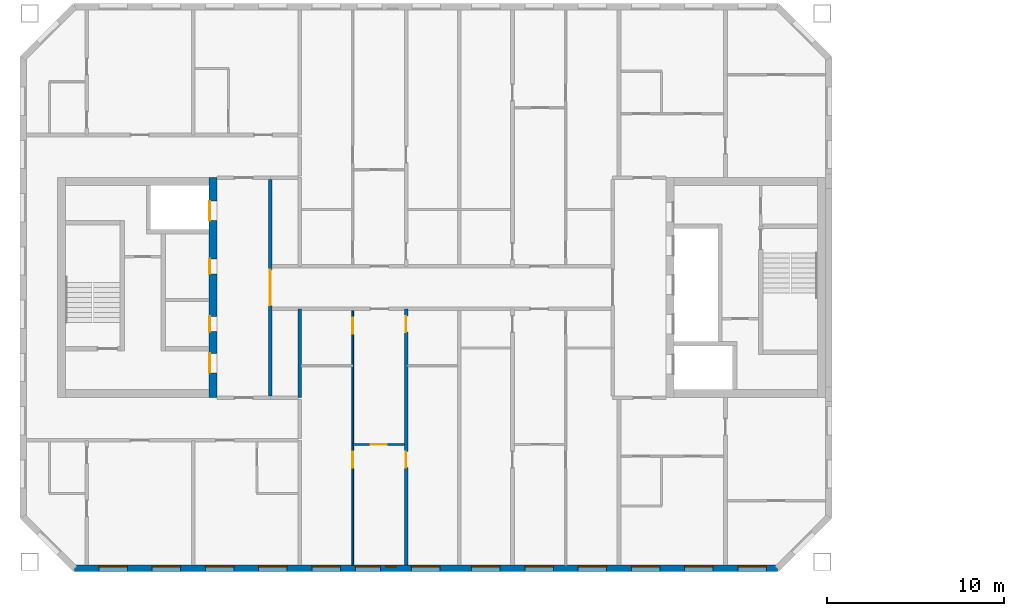
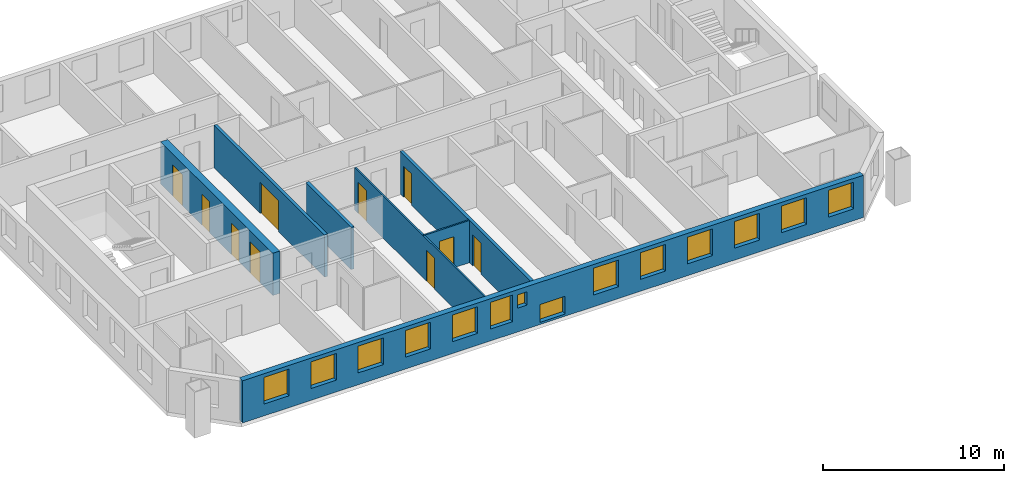
# One storey, part 3 of 15: 14 windows, 10 doors, 7 walls, 24 openings.
"""IFC4 building model written with IfcOpenShell, lengths in metres."""

from ifc_helpers import new_model, si_unit, direction, frame, frame_2d, origin, place, context, subcontext, project, spatial, rectangle, extrude, material, layer, layer_set, type_object, element, fill, save


model = new_model("IFC4")

# Units and contexts
model_context = context("Model", 3, precision=1e-05, world=origin(), true_north=direction((0.0, 1.0)))
body_context = subcontext(model_context, "Body", "Model", "MODEL_VIEW")
ifc_project = project(units=[si_unit("LENGTHUNIT", "METRE"), si_unit("AREAUNIT", "SQUARE_METRE"), si_unit("VOLUMEUNIT", "CUBIC_METRE"), si_unit("PLANEANGLEUNIT", "RADIAN"), si_unit("MASSUNIT", "GRAM", prefix="KILO")], contexts=[model_context])

# Site, building, storey
site_placement = place(None, origin())
site = spatial("IfcSite", under=ifc_project, at=site_placement, CompositionType="ELEMENT")
building_placement = place(site_placement, origin())
building = spatial("IfcBuilding", under=site, at=building_placement, Name="Tuart Gate Housing", CompositionType="ELEMENT")
storey_placement = place(building_placement, frame((0.0, 0.0, 191.300048828125)))
storey = spatial("IfcBuildingStorey", under=building, at=storey_placement, Name="L54", CompositionType="ELEMENT", Elevation=191.300048828125)

# Wall, openings, windows
ifc_material_1 = material(Name="Brick", Category="masonry")
ifc_layer_1 = layer(ifc_material_1, 0.360107421875)
ifc_layer_set_1 = layer_set([ifc_layer_1], Name="Brick pier and spandrel wall 360")
wall_type_1 = type_object("IfcWallType", Name="Brick pier and spandrel wall 360", PredefinedType="STANDARD", material=ifc_layer_set_1)
wall_1_placement = place(storey_placement, frame((33.32470703125, 54.179931640625, 0.0), z_axis=(0.0, 0.0, 1.0), x_axis=(1.0, 0.0, 0.0)))
wall_1 = element("IfcWall", 1, at=wall_1_placement, inside=storey, type_object=wall_type_1, Name="External wall A-S L54", PredefinedType="STANDARD", context=body_context, shape_type="SweptSolid", body=[
    extrude(rectangle(XDim=39.600830078125, YDim=0.360107421875, at=frame_2d((19.80029296875, 0.0))), origin(), (0.0, 0.0, 1.0), 2.849853515625),
])
opening_1_placement = place(wall_1_placement, frame((1.37548828125, 0.0, 0.800048828125)))
opening_1 = element("IfcOpeningElement", 2, at=opening_1_placement, cuts=wall_1, Name="Opening W1", PredefinedType="OPENING", context=body_context, shape_type="SweptSolid", body=[
    extrude(rectangle(XDim=1.60009765625, YDim=1.800048828125, at=frame_2d((0.800048828125, 0.89990234375))), frame((0.0, 0.18994140625, 0.0), z_axis=(0.0, -1.0, 0.0), x_axis=(1.0, 0.0, 0.0)), (0.0, 0.0, 1.0), 0.380126953125),
])
opening_2_placement = place(wall_1_placement, frame((4.37548828125, 0.0, 0.800048828125)))
opening_2 = element("IfcOpeningElement", 3, at=opening_2_placement, cuts=wall_1, Name="Opening W1", PredefinedType="OPENING", context=body_context, shape_type="SweptSolid", body=[
    extrude(rectangle(XDim=1.60009765625, YDim=1.800048828125, at=frame_2d((0.800048828125, 0.89990234375))), frame((0.0, 0.18994140625, 0.0), z_axis=(0.0, -1.0, 0.0), x_axis=(1.0, 0.0, 0.0)), (0.0, 0.0, 1.0), 0.380126953125),
])
opening_3_placement = place(wall_1_placement, frame((7.37548828125, 0.0, 0.800048828125)))
opening_3 = element("IfcOpeningElement", 4, at=opening_3_placement, cuts=wall_1, Name="Opening W1", PredefinedType="OPENING", context=body_context, shape_type="SweptSolid", body=[
    extrude(rectangle(XDim=1.60009765625, YDim=1.800048828125, at=frame_2d((0.800048828125, 0.89990234375))), frame((0.0, 0.18994140625, 0.0), z_axis=(0.0, -1.0, 0.0), x_axis=(1.0, 0.0, 0.0)), (0.0, 0.0, 1.0), 0.380126953125),
])
opening_4_placement = place(wall_1_placement, frame((10.37548828125, 0.0, 0.800048828125)))
opening_4 = element("IfcOpeningElement", 5, at=opening_4_placement, cuts=wall_1, Name="Opening W1", PredefinedType="OPENING", context=body_context, shape_type="SweptSolid", body=[
    extrude(rectangle(XDim=1.60009765625, YDim=1.800048828125, at=frame_2d((0.800048828125, 0.89990234375))), frame((0.0, 0.18994140625, 0.0), z_axis=(0.0, -1.0, 0.0), x_axis=(1.0, 0.0, 0.0)), (0.0, 0.0, 1.0), 0.380126953125),
])
opening_5_placement = place(wall_1_placement, frame((13.37548828125, 0.0, 0.800048828125)))
opening_5 = element("IfcOpeningElement", 6, at=opening_5_placement, cuts=wall_1, Name="Opening W1", PredefinedType="OPENING", context=body_context, shape_type="SweptSolid", body=[
    extrude(rectangle(XDim=1.60009765625, YDim=1.800048828125, at=frame_2d((0.800048828125, 0.89990234375))), frame((0.0, 0.18994140625, 0.0), z_axis=(0.0, -1.0, 0.0), x_axis=(1.0, 0.0, 0.0)), (0.0, 0.0, 1.0), 0.380126953125),
])
opening_6_placement = place(wall_1_placement, frame((15.825439453125, 0.0, 0.800048828125)))
opening_6 = element("IfcOpeningElement", 7, at=opening_6_placement, cuts=wall_1, Name="Opening W1A", PredefinedType="OPENING", context=body_context, shape_type="SweptSolid", body=[
    extrude(rectangle(XDim=1.39990234375, YDim=1.800048828125, at=frame_2d((0.699951171875, 0.89990234375))), frame((0.0, 0.18994140625, 0.0), z_axis=(0.0, -1.0, 0.0), x_axis=(1.0, 0.0, 0.0)), (0.0, 0.0, 1.0), 0.380126953125),
])
opening_7_placement = place(wall_1_placement, frame((18.975341796875, 0.0, 0.14990234375)))
opening_7 = element("IfcOpeningElement", 8, at=opening_7_placement, cuts=wall_1, Name="Opening W1L", PredefinedType="OPENING", context=body_context, shape_type="SweptSolid", body=[
    extrude(rectangle(XDim=1.60009765625, YDim=1.199951171875, at=frame_2d((0.800048828125, 0.60009765625))), frame((0.0, 0.18994140625, 0.0), z_axis=(0.0, -1.0, 0.0), x_axis=(1.0, 0.0, 0.0)), (0.0, 0.0, 1.0), 0.380126953125),
])
opening_8_placement = place(wall_1_placement, frame((22.37548828125, 0.0, 0.800048828125)))
opening_8 = element("IfcOpeningElement", 9, at=opening_8_placement, cuts=wall_1, Name="Opening W1", PredefinedType="OPENING", context=body_context, shape_type="SweptSolid", body=[
    extrude(rectangle(XDim=1.60009765625, YDim=1.800048828125, at=frame_2d((0.800048828125, 0.89990234375))), frame((0.0, 0.18994140625, 0.0), z_axis=(0.0, -1.0, 0.0), x_axis=(1.0, 0.0, 0.0)), (0.0, 0.0, 1.0), 0.380126953125),
])
opening_9_placement = place(wall_1_placement, frame((25.37548828125, 0.0, 0.800048828125)))
opening_9 = element("IfcOpeningElement", 10, at=opening_9_placement, cuts=wall_1, Name="Opening W1", PredefinedType="OPENING", context=body_context, shape_type="SweptSolid", body=[
    extrude(rectangle(XDim=1.60009765625, YDim=1.800048828125, at=frame_2d((0.800048828125, 0.89990234375))), frame((0.0, 0.18994140625, 0.0), z_axis=(0.0, -1.0, 0.0), x_axis=(1.0, 0.0, 0.0)), (0.0, 0.0, 1.0), 0.380126953125),
])
opening_10_placement = place(wall_1_placement, frame((28.37548828125, 0.0, 0.800048828125)))
opening_10 = element("IfcOpeningElement", 11, at=opening_10_placement, cuts=wall_1, Name="Opening W1", PredefinedType="OPENING", context=body_context, shape_type="SweptSolid", body=[
    extrude(rectangle(XDim=1.60009765625, YDim=1.800048828125, at=frame_2d((0.800048828125, 0.89990234375))), frame((0.0, 0.18994140625, 0.0), z_axis=(0.0, -1.0, 0.0), x_axis=(1.0, 0.0, 0.0)), (0.0, 0.0, 1.0), 0.380126953125),
])
opening_11_placement = place(wall_1_placement, frame((31.37548828125, 0.0, 0.800048828125)))
opening_11 = element("IfcOpeningElement", 12, at=opening_11_placement, cuts=wall_1, Name="Opening W1", PredefinedType="OPENING", context=body_context, shape_type="SweptSolid", body=[
    extrude(rectangle(XDim=1.60009765625, YDim=1.800048828125, at=frame_2d((0.800048828125, 0.89990234375))), frame((0.0, 0.18994140625, 0.0), z_axis=(0.0, -1.0, 0.0), x_axis=(1.0, 0.0, 0.0)), (0.0, 0.0, 1.0), 0.380126953125),
])
opening_12_placement = place(wall_1_placement, frame((34.37548828125, 0.0, 0.800048828125)))
opening_12 = element("IfcOpeningElement", 13, at=opening_12_placement, cuts=wall_1, Name="Opening W1", PredefinedType="OPENING", context=body_context, shape_type="SweptSolid", body=[
    extrude(rectangle(XDim=1.60009765625, YDim=1.800048828125, at=frame_2d((0.800048828125, 0.89990234375))), frame((0.0, 0.18994140625, 0.0), z_axis=(0.0, -1.0, 0.0), x_axis=(1.0, 0.0, 0.0)), (0.0, 0.0, 1.0), 0.380126953125),
])
opening_13_placement = place(wall_1_placement, frame((37.37548828125, 0.0, 0.800048828125)))
opening_13 = element("IfcOpeningElement", 14, at=opening_13_placement, cuts=wall_1, Name="Opening W1", PredefinedType="OPENING", context=body_context, shape_type="SweptSolid", body=[
    extrude(rectangle(XDim=1.60009765625, YDim=1.800048828125, at=frame_2d((0.800048828125, 0.89990234375))), frame((0.0, 0.18994140625, 0.0), z_axis=(0.0, -1.0, 0.0), x_axis=(1.0, 0.0, 0.0)), (0.0, 0.0, 1.0), 0.380126953125),
])
opening_14_placement = place(wall_1_placement, frame((17.525390625, 0.0, 1.60009765625)))
opening_14 = element("IfcOpeningElement", 15, at=opening_14_placement, cuts=wall_1, Name="Opening W1W", PredefinedType="OPENING", context=body_context, shape_type="SweptSolid", body=[
    extrude(rectangle(XDim=0.60009765625, YDim=0.89990234375, at=frame_2d((0.300048828125, 0.449951171875))), frame((0.0, 0.18994140625, 0.0), z_axis=(0.0, -1.0, 0.0), x_axis=(1.0, 0.0, 0.0)), (0.0, 0.0, 1.0), 0.380126953125),
])
ifc_material_2 = material(Name="Aluminium frame with clear glass", Category="aluminium")
window_type_1 = type_object("IfcWindowType", Name="Punched window 1400 x 1800", PartitioningType="SINGLE_PANEL", PredefinedType="WINDOW", material=ifc_material_2)
window_1_placement = place(opening_6_placement, origin())
window_1 = element("IfcWindow", 16, at=window_1_placement, inside=storey, type_object=window_type_1, Name="Window W1A", OverallHeight=1.800048828125, OverallWidth=1.39990234375, PartitioningType="SINGLE_PANEL", PredefinedType="WINDOW", context=body_context, shape_type="SweptSolid", body=[
    extrude(rectangle(XDim=1.39990234375, YDim=1.800048828125, at=frame_2d((0.699951171875, 0.89990234375))), frame((0.0, 0.150146484375, 0.0), z_axis=(0.0, -1.0, 0.0), x_axis=(1.0, 0.0, 0.0)), (0.0, 0.0, 1.0), 0.06005859375),
])
fill(opening_6, window_1)
ifc_material_3 = material(Name="Aluminium frame with clear glass", Category="aluminium")
window_type_2 = type_object("IfcWindowType", Name="Punched window 1600 x 1200", PartitioningType="SINGLE_PANEL", PredefinedType="WINDOW", material=ifc_material_3)
window_2_placement = place(opening_7_placement, origin())
window_2 = element("IfcWindow", 17, at=window_2_placement, inside=storey, type_object=window_type_2, Name="Window W1L", OverallHeight=1.199951171875, OverallWidth=1.60009765625, PartitioningType="SINGLE_PANEL", PredefinedType="WINDOW", context=body_context, shape_type="SweptSolid", body=[
    extrude(rectangle(XDim=1.60009765625, YDim=1.199951171875, at=frame_2d((0.800048828125, 0.60009765625))), frame((0.0, 0.150146484375, 0.0), z_axis=(0.0, -1.0, 0.0), x_axis=(1.0, 0.0, 0.0)), (0.0, 0.0, 1.0), 0.06005859375),
])
fill(opening_7, window_2)
ifc_material_4 = material(Name="Aluminium frame with clear glass", Category="aluminium")
window_type_3 = type_object("IfcWindowType", Name="Punched window 1600 x 1800", PartitioningType="SINGLE_PANEL", PredefinedType="WINDOW", material=ifc_material_4)
window_3_placement = place(opening_1_placement, origin())
window_3 = element("IfcWindow", 18, at=window_3_placement, inside=storey, type_object=window_type_3, Name="Window W1", OverallHeight=1.800048828125, OverallWidth=1.60009765625, PartitioningType="SINGLE_PANEL", PredefinedType="WINDOW", context=body_context, shape_type="SweptSolid", body=[
    extrude(rectangle(XDim=1.60009765625, YDim=1.800048828125, at=frame_2d((0.800048828125, 0.89990234375))), frame((0.0, 0.150146484375, 0.0), z_axis=(0.0, -1.0, 0.0), x_axis=(1.0, 0.0, 0.0)), (0.0, 0.0, 1.0), 0.06005859375),
])
fill(opening_1, window_3)
window_4_placement = place(opening_2_placement, origin())
window_4 = element("IfcWindow", 19, at=window_4_placement, inside=storey, type_object=window_type_3, Name="Window W1", OverallHeight=1.800048828125, OverallWidth=1.60009765625, PartitioningType="SINGLE_PANEL", PredefinedType="WINDOW", context=body_context, shape_type="SweptSolid", body=[
    extrude(rectangle(XDim=1.60009765625, YDim=1.800048828125, at=frame_2d((0.800048828125, 0.89990234375))), frame((0.0, 0.150146484375, 0.0), z_axis=(0.0, -1.0, 0.0), x_axis=(1.0, 0.0, 0.0)), (0.0, 0.0, 1.0), 0.06005859375),
])
fill(opening_2, window_4)
window_5_placement = place(opening_3_placement, origin())
window_5 = element("IfcWindow", 20, at=window_5_placement, inside=storey, type_object=window_type_3, Name="Window W1", OverallHeight=1.800048828125, OverallWidth=1.60009765625, PartitioningType="SINGLE_PANEL", PredefinedType="WINDOW", context=body_context, shape_type="SweptSolid", body=[
    extrude(rectangle(XDim=1.60009765625, YDim=1.800048828125, at=frame_2d((0.800048828125, 0.89990234375))), frame((0.0, 0.150146484375, 0.0), z_axis=(0.0, -1.0, 0.0), x_axis=(1.0, 0.0, 0.0)), (0.0, 0.0, 1.0), 0.06005859375),
])
fill(opening_3, window_5)
window_6_placement = place(opening_4_placement, origin())
window_6 = element("IfcWindow", 21, at=window_6_placement, inside=storey, type_object=window_type_3, Name="Window W1", OverallHeight=1.800048828125, OverallWidth=1.60009765625, PartitioningType="SINGLE_PANEL", PredefinedType="WINDOW", context=body_context, shape_type="SweptSolid", body=[
    extrude(rectangle(XDim=1.60009765625, YDim=1.800048828125, at=frame_2d((0.800048828125, 0.89990234375))), frame((0.0, 0.150146484375, 0.0), z_axis=(0.0, -1.0, 0.0), x_axis=(1.0, 0.0, 0.0)), (0.0, 0.0, 1.0), 0.06005859375),
])
fill(opening_4, window_6)
window_7_placement = place(opening_5_placement, origin())
window_7 = element("IfcWindow", 22, at=window_7_placement, inside=storey, type_object=window_type_3, Name="Window W1", OverallHeight=1.800048828125, OverallWidth=1.60009765625, PartitioningType="SINGLE_PANEL", PredefinedType="WINDOW", context=body_context, shape_type="SweptSolid", body=[
    extrude(rectangle(XDim=1.60009765625, YDim=1.800048828125, at=frame_2d((0.800048828125, 0.89990234375))), frame((0.0, 0.150146484375, 0.0), z_axis=(0.0, -1.0, 0.0), x_axis=(1.0, 0.0, 0.0)), (0.0, 0.0, 1.0), 0.06005859375),
])
fill(opening_5, window_7)
window_8_placement = place(opening_8_placement, origin())
window_8 = element("IfcWindow", 23, at=window_8_placement, inside=storey, type_object=window_type_3, Name="Window W1", OverallHeight=1.800048828125, OverallWidth=1.60009765625, PartitioningType="SINGLE_PANEL", PredefinedType="WINDOW", context=body_context, shape_type="SweptSolid", body=[
    extrude(rectangle(XDim=1.60009765625, YDim=1.800048828125, at=frame_2d((0.800048828125, 0.89990234375))), frame((0.0, 0.150146484375, 0.0), z_axis=(0.0, -1.0, 0.0), x_axis=(1.0, 0.0, 0.0)), (0.0, 0.0, 1.0), 0.06005859375),
])
fill(opening_8, window_8)
window_9_placement = place(opening_9_placement, origin())
window_9 = element("IfcWindow", 24, at=window_9_placement, inside=storey, type_object=window_type_3, Name="Window W1", OverallHeight=1.800048828125, OverallWidth=1.60009765625, PartitioningType="SINGLE_PANEL", PredefinedType="WINDOW", context=body_context, shape_type="SweptSolid", body=[
    extrude(rectangle(XDim=1.60009765625, YDim=1.800048828125, at=frame_2d((0.800048828125, 0.89990234375))), frame((0.0, 0.150146484375, 0.0), z_axis=(0.0, -1.0, 0.0), x_axis=(1.0, 0.0, 0.0)), (0.0, 0.0, 1.0), 0.06005859375),
])
fill(opening_9, window_9)
window_10_placement = place(opening_10_placement, origin())
window_10 = element("IfcWindow", 25, at=window_10_placement, inside=storey, type_object=window_type_3, Name="Window W1", OverallHeight=1.800048828125, OverallWidth=1.60009765625, PartitioningType="SINGLE_PANEL", PredefinedType="WINDOW", context=body_context, shape_type="SweptSolid", body=[
    extrude(rectangle(XDim=1.60009765625, YDim=1.800048828125, at=frame_2d((0.800048828125, 0.89990234375))), frame((0.0, 0.150146484375, 0.0), z_axis=(0.0, -1.0, 0.0), x_axis=(1.0, 0.0, 0.0)), (0.0, 0.0, 1.0), 0.06005859375),
])
fill(opening_10, window_10)
window_11_placement = place(opening_11_placement, origin())
window_11 = element("IfcWindow", 26, at=window_11_placement, inside=storey, type_object=window_type_3, Name="Window W1", OverallHeight=1.800048828125, OverallWidth=1.60009765625, PartitioningType="SINGLE_PANEL", PredefinedType="WINDOW", context=body_context, shape_type="SweptSolid", body=[
    extrude(rectangle(XDim=1.60009765625, YDim=1.800048828125, at=frame_2d((0.800048828125, 0.89990234375))), frame((0.0, 0.150146484375, 0.0), z_axis=(0.0, -1.0, 0.0), x_axis=(1.0, 0.0, 0.0)), (0.0, 0.0, 1.0), 0.06005859375),
])
fill(opening_11, window_11)
window_12_placement = place(opening_12_placement, origin())
window_12 = element("IfcWindow", 27, at=window_12_placement, inside=storey, type_object=window_type_3, Name="Window W1", OverallHeight=1.800048828125, OverallWidth=1.60009765625, PartitioningType="SINGLE_PANEL", PredefinedType="WINDOW", context=body_context, shape_type="SweptSolid", body=[
    extrude(rectangle(XDim=1.60009765625, YDim=1.800048828125, at=frame_2d((0.800048828125, 0.89990234375))), frame((0.0, 0.150146484375, 0.0), z_axis=(0.0, -1.0, 0.0), x_axis=(1.0, 0.0, 0.0)), (0.0, 0.0, 1.0), 0.06005859375),
])
fill(opening_12, window_12)
window_13_placement = place(opening_13_placement, origin())
window_13 = element("IfcWindow", 28, at=window_13_placement, inside=storey, type_object=window_type_3, Name="Window W1", OverallHeight=1.800048828125, OverallWidth=1.60009765625, PartitioningType="SINGLE_PANEL", PredefinedType="WINDOW", context=body_context, shape_type="SweptSolid", body=[
    extrude(rectangle(XDim=1.60009765625, YDim=1.800048828125, at=frame_2d((0.800048828125, 0.89990234375))), frame((0.0, 0.150146484375, 0.0), z_axis=(0.0, -1.0, 0.0), x_axis=(1.0, 0.0, 0.0)), (0.0, 0.0, 1.0), 0.06005859375),
])
fill(opening_13, window_13)
ifc_material_5 = material(Name="Aluminium frame with clear glass", Category="aluminium")
window_type_4 = type_object("IfcWindowType", Name="Punched window 600 x 900", PartitioningType="SINGLE_PANEL", PredefinedType="WINDOW", material=ifc_material_5)
window_14_placement = place(opening_14_placement, origin())
window_14 = element("IfcWindow", 29, at=window_14_placement, inside=storey, type_object=window_type_4, Name="Window W1W", OverallHeight=0.89990234375, OverallWidth=0.60009765625, PartitioningType="SINGLE_PANEL", PredefinedType="WINDOW", context=body_context, shape_type="SweptSolid", body=[
    extrude(rectangle(XDim=0.60009765625, YDim=0.89990234375, at=frame_2d((0.300048828125, 0.449951171875))), frame((0.0, 0.150146484375, 0.0), z_axis=(0.0, -1.0, 0.0), x_axis=(1.0, 0.0, 0.0)), (0.0, 0.0, 1.0), 0.06005859375),
])
fill(opening_14, window_14)

# Wall, openings, doors
ifc_material_6 = material(Name="Concrete C40", Category="concrete")
ifc_layer_2 = layer(ifc_material_6, 0.449951171875)
ifc_layer_set_2 = layer_set([ifc_layer_2], Name="Core wall 450 C40")
wall_type_2 = type_object("IfcWallType", Name="Core wall 450 C40", PredefinedType="SHEAR", material=ifc_layer_set_2)
wall_2_placement = place(storey_placement, frame((41.135009765625, 76.199951171875, 0.0), z_axis=(0.0, 0.0, 1.0), x_axis=(0.0, -1.0, 0.0)))
wall_2 = element("IfcWall", 30, at=wall_2_placement, inside=storey, type_object=wall_type_2, Name="Core wall AK front", PredefinedType="SHEAR", context=body_context, shape_type="SweptSolid", body=[
    extrude(rectangle(XDim=12.39990234375, YDim=0.449951171875, at=frame_2d((6.199951171875, 0.0))), origin(), (0.0, 0.0, 1.0), 2.849853515625),
])
opening_15_placement = place(wall_2_placement, frame((1.324951171875, 0.0, 0.0)))
opening_15 = element("IfcOpeningElement", 31, at=opening_15_placement, cuts=wall_2, Name="Opening LD-FA2", PredefinedType="OPENING", context=body_context, shape_type="SweptSolid", body=[
    extrude(rectangle(XDim=1.10009765625, YDim=2.10009765625, at=frame_2d((0.550048828125, 1.050048828125))), frame((0.0, 0.23486328125, 0.0), z_axis=(0.0, -1.0, 0.0), x_axis=(1.0, 0.0, 0.0)), (0.0, 0.0, 1.0), 0.469970703125),
])
opening_16_placement = place(wall_2_placement, frame((4.574951171875, 0.0, 0.0)))
opening_16 = element("IfcOpeningElement", 32, at=opening_16_placement, cuts=wall_2, Name="Opening D2633", PredefinedType="OPENING", context=body_context, shape_type="SweptSolid", body=[
    extrude(rectangle(XDim=0.85009765625, YDim=2.10009765625, at=frame_2d((0.425048828125, 1.050048828125))), frame((0.0, 0.23486328125, 0.0), z_axis=(0.0, -1.0, 0.0), x_axis=(1.0, 0.0, 0.0)), (0.0, 0.0, 1.0), 0.469970703125),
])
opening_17_placement = place(wall_2_placement, frame((7.824951171875, 0.0, 0.0)))
opening_17 = element("IfcOpeningElement", 33, at=opening_17_placement, cuts=wall_2, Name="Opening D2634", PredefinedType="OPENING", context=body_context, shape_type="SweptSolid", body=[
    extrude(rectangle(XDim=0.85009765625, YDim=2.10009765625, at=frame_2d((0.425048828125, 1.050048828125))), frame((0.0, 0.23486328125, 0.0), z_axis=(0.0, -1.0, 0.0), x_axis=(1.0, 0.0, 0.0)), (0.0, 0.0, 1.0), 0.469970703125),
])
opening_18_placement = place(wall_2_placement, frame((9.89990234375, 0.0, 0.0)))
opening_18 = element("IfcOpeningElement", 34, at=opening_18_placement, cuts=wall_2, Name="Opening D2632", PredefinedType="OPENING", context=body_context, shape_type="SweptSolid", body=[
    extrude(rectangle(XDim=1.10009765625, YDim=2.10009765625, at=frame_2d((0.550048828125, 1.050048828125))), frame((0.0, 0.23486328125, 0.0), z_axis=(0.0, -1.0, 0.0), x_axis=(1.0, 0.0, 0.0)), (0.0, 0.0, 1.0), 0.469970703125),
])
ifc_material_7 = material(Name="Stainless steel", Category="steel")
door_type_1 = type_object("IfcDoorType", Name="Landing door 1100 x 2100", OperationType="DOUBLE_DOOR_SLIDING", PredefinedType="DOOR", material=ifc_material_7)
door_1_placement = place(opening_15_placement, origin())
door_1 = element("IfcDoor", 35, at=door_1_placement, inside=storey, type_object=door_type_1, Name="Lift landing door FA2", OperationType="DOUBLE_DOOR_SLIDING", OverallHeight=2.10009765625, OverallWidth=1.10009765625, PredefinedType="DOOR", context=body_context, shape_type="SweptSolid", body=[
    extrude(rectangle(XDim=1.10009765625, YDim=2.10009765625, at=frame_2d((0.550048828125, 1.050048828125))), frame((0.0, -0.16015625, 0.0), z_axis=(0.0, -1.0, 0.0), x_axis=(1.0, 0.0, 0.0)), (0.0, 0.0, 1.0), 0.050048828125),
])
fill(opening_15, door_1)
ifc_material_8 = material(Name="Steel fire door", Category="steel")
door_type_2 = type_object("IfcDoorType", Name="Lobby door 1100 x 2100 RH", OperationType="SINGLE_SWING_RIGHT", PredefinedType="DOOR", material=ifc_material_8)
door_2_placement = place(opening_18_placement, frame((1.10009765625, 0.0, 0.0), z_axis=(0.0, 0.0, 1.0), x_axis=(-1.0, 0.0, 0.0)))
door_2 = element("IfcDoor", 36, at=door_2_placement, inside=storey, type_object=door_type_2, Name="Lobby entry door AK.EN", OperationType="SINGLE_SWING_RIGHT", OverallHeight=2.10009765625, OverallWidth=1.10009765625, PredefinedType="DOOR", context=body_context, shape_type="SweptSolid", body=[
    extrude(rectangle(XDim=1.10009765625, YDim=2.10009765625, at=frame_2d((0.550048828125, 1.050048828125))), frame((0.0, 0.210205078125, 0.0), z_axis=(0.0, -1.0, 0.0), x_axis=(1.0, 0.0, 0.0)), (0.0, 0.0, 1.0), 0.050048828125),
])
fill(opening_18, door_2)
ifc_material_9 = material(Name="Steel fire door", Category="steel")
door_type_3 = type_object("IfcDoorType", Name="Service door 850 x 2100 RH", OperationType="SINGLE_SWING_RIGHT", PredefinedType="DOOR", material=ifc_material_9)
door_3_placement = place(opening_16_placement, frame((0.85009765625, 0.0, 0.0), z_axis=(0.0, 0.0, 1.0), x_axis=(-1.0, 0.0, 0.0)))
door_3 = element("IfcDoor", 37, at=door_3_placement, inside=storey, type_object=door_type_3, Name="Service room door AK.FR1", OperationType="SINGLE_SWING_RIGHT", OverallHeight=2.10009765625, OverallWidth=0.85009765625, PredefinedType="DOOR", context=body_context, shape_type="SweptSolid", body=[
    extrude(rectangle(XDim=0.85009765625, YDim=2.10009765625, at=frame_2d((0.425048828125, 1.050048828125))), frame((0.0, 0.210205078125, 0.0), z_axis=(0.0, -1.0, 0.0), x_axis=(1.0, 0.0, 0.0)), (0.0, 0.0, 1.0), 0.050048828125),
])
fill(opening_16, door_3)
door_4_placement = place(opening_17_placement, frame((0.85009765625, 0.0, 0.0), z_axis=(0.0, 0.0, 1.0), x_axis=(-1.0, 0.0, 0.0)))
door_4 = element("IfcDoor", 38, at=door_4_placement, inside=storey, type_object=door_type_3, Name="Service room door AK.FR2", OperationType="SINGLE_SWING_RIGHT", OverallHeight=2.10009765625, OverallWidth=0.85009765625, PredefinedType="DOOR", context=body_context, shape_type="SweptSolid", body=[
    extrude(rectangle(XDim=0.85009765625, YDim=2.10009765625, at=frame_2d((0.425048828125, 1.050048828125))), frame((0.0, 0.210205078125, 0.0), z_axis=(0.0, -1.0, 0.0), x_axis=(1.0, 0.0, 0.0)), (0.0, 0.0, 1.0), 0.050048828125),
])
fill(opening_17, door_4)

# Wall, opening, door
ifc_material_10 = material(Name="Plasterboard partition")
ifc_layer_3 = layer(ifc_material_10, 0.199951171875)
ifc_layer_set_3 = layer_set([ifc_layer_3], Name="Lobby wall 200")
wall_type_3 = type_object("IfcWallType", Name="Lobby wall 200", PredefinedType="PARTITIONING", material=ifc_layer_set_3)
wall_3_placement = place(storey_placement, frame((44.360107421875, 63.89990234375, 0.0), z_axis=(0.0, 0.0, 1.0), x_axis=(0.0, 1.0, 0.0)))
wall_3 = element("IfcWall", 39, at=wall_3_placement, inside=storey, type_object=wall_type_3, Name="Lift lobby wall AK", PredefinedType="PARTITIONING", context=body_context, shape_type="SweptSolid", body=[
    extrude(rectangle(XDim=12.2001953125, YDim=0.199951171875, at=frame_2d((6.10009765625, 0.0))), origin(), (0.0, 0.0, 1.0), 2.849853515625),
])
opening_19_placement = place(wall_3_placement, frame((5.10009765625, 0.0, 0.0)))
opening_19 = element("IfcOpeningElement", 40, at=opening_19_placement, cuts=wall_3, Name="Opening D2635", PredefinedType="OPENING", context=body_context, shape_type="SweptSolid", body=[
    extrude(rectangle(XDim=2.0, YDim=2.10009765625, at=frame_2d((1.0, 1.050048828125))), frame((0.0, 0.10986328125, 0.0), z_axis=(0.0, -1.0, 0.0), x_axis=(1.0, 0.0, 0.0)), (0.0, 0.0, 1.0), 0.219970703125),
])
ifc_material_11 = material(Name="Steel fire door", Category="steel")
door_type_4 = type_object("IfcDoorType", Name="Smoke door 2000 x 2100", OperationType="DOUBLE_DOOR_SINGLE_SWING", PredefinedType="DOOR", material=ifc_material_11)
door_5_placement = place(opening_19_placement, origin())
door_5 = element("IfcDoor", 41, at=door_5_placement, inside=storey, type_object=door_type_4, Name="Lift lobby smoke door AK", OperationType="DOUBLE_DOOR_SINGLE_SWING", OverallHeight=2.10009765625, OverallWidth=2.0, PredefinedType="DOOR", context=body_context, shape_type="SweptSolid", body=[
    extrude(rectangle(XDim=2.0, YDim=2.10009765625, at=frame_2d((1.0, 1.050048828125))), frame((0.0, 0.02490234375, 0.0), z_axis=(0.0, -1.0, 0.0), x_axis=(1.0, 0.0, 0.0)), (0.0, 0.0, 1.0), 0.050048828125),
])
fill(opening_19, door_5)

ifc_material_12 = material(Name="Gypsum board on steel studs", Category="steel")
ifc_layer_4 = layer(ifc_material_12, 0.10009765625)
ifc_layer_set_4 = layer_set([ifc_layer_4], Name="Partition 100")
wall_type_4 = type_object("IfcWallType", Name="Partition 100", PredefinedType="PARTITIONING", material=ifc_layer_set_4)
wall_4_placement = place(storey_placement, frame((49.0, 61.159912109375, 0.0), z_axis=(0.0, 0.0, 1.0), x_axis=(1.0, 0.0, 0.0)))
wall_4 = element("IfcWall", 42, at=wall_4_placement, inside=storey, type_object=wall_type_4, Name="Partition 100", PredefinedType="PARTITIONING", context=body_context, shape_type="SweptSolid", body=[
    extrude(rectangle(XDim=2.89990234375, YDim=0.10009765625, at=frame_2d((1.449951171875, 0.0))), origin(), (0.0, 0.0, 1.0), 2.849853515625),
])
opening_20_placement = place(wall_4_placement, frame((1.0, 0.0, 0.0)))
opening_20 = element("IfcOpeningElement", 43, at=opening_20_placement, cuts=wall_4, Name="Opening D2655", PredefinedType="OPENING", context=body_context, shape_type="SweptSolid", body=[
    extrude(rectangle(XDim=0.89990234375, YDim=2.10009765625, at=frame_2d((0.449951171875, 1.050048828125))), frame((0.0, 0.06005859375, 0.0), z_axis=(0.0, -1.0, 0.0), x_axis=(1.0, 0.0, 0.0)), (0.0, 0.0, 1.0), 0.1201171875),
])
ifc_material_13 = material(Name="Timber door leaf in steel frame", Category="steel")
door_type_5 = type_object("IfcDoorType", Name="Internal door 900", OperationType="SINGLE_SWING_LEFT", PredefinedType="DOOR", material=ifc_material_13)
door_6_placement = place(opening_20_placement, origin())
door_6 = element("IfcDoor", 44, at=door_6_placement, inside=storey, type_object=door_type_5, Name="Internal door", OperationType="SINGLE_SWING_LEFT", OverallHeight=2.10009765625, OverallWidth=0.89990234375, PredefinedType="DOOR", context=body_context, shape_type="SweptSolid", body=[
    extrude(rectangle(XDim=0.89990234375, YDim=2.10009765625, at=frame_2d((0.449951171875, 1.050048828125))), frame((0.0, 0.02490234375, 0.0), z_axis=(0.0, -1.0, 0.0), x_axis=(1.0, 0.0, 0.0)), (0.0, 0.0, 1.0), 0.050048828125),
])
fill(opening_20, door_6)

# Wall, openings, doors
wall_5_placement = place(storey_placement, frame((49.0, 54.360107421875, 0.0), z_axis=(0.0, 0.0, 1.0), x_axis=(0.0, 1.0, 0.0)))
wall_5 = element("IfcWall", 45, at=wall_5_placement, inside=storey, type_object=wall_type_4, Name="Partition 100", PredefinedType="PARTITIONING", context=body_context, shape_type="SweptSolid", body=[
    extrude(rectangle(XDim=14.33984375, YDim=0.10009765625, at=frame_2d((7.169921875, 0.0))), origin(), (0.0, 0.0, 1.0), 2.849853515625),
])
opening_21_placement = place(wall_5_placement, frame((5.5, 0.0, 0.0)))
opening_21 = element("IfcOpeningElement", 46, at=opening_21_placement, cuts=wall_5, Name="Opening D2650", PredefinedType="OPENING", context=body_context, shape_type="SweptSolid", body=[
    extrude(rectangle(XDim=0.89990234375, YDim=2.10009765625, at=frame_2d((0.449951171875, 1.050048828125))), frame((0.0, 0.06005859375, 0.0), z_axis=(0.0, -1.0, 0.0), x_axis=(1.0, 0.0, 0.0)), (0.0, 0.0, 1.0), 0.1201171875),
])
opening_22_placement = place(wall_5_placement, frame((13.0400390625, 0.0, 0.0)))
opening_22 = element("IfcOpeningElement", 47, at=opening_22_placement, cuts=wall_5, Name="Opening D2649", PredefinedType="OPENING", context=body_context, shape_type="SweptSolid", body=[
    extrude(rectangle(XDim=0.89990234375, YDim=2.10009765625, at=frame_2d((0.449951171875, 1.050048828125))), frame((0.0, 0.06005859375, 0.0), z_axis=(0.0, -1.0, 0.0), x_axis=(1.0, 0.0, 0.0)), (0.0, 0.0, 1.0), 0.1201171875),
])
ifc_material_14 = material(Name="Timber door leaf in steel frame", Category="steel")
door_type_6 = type_object("IfcDoorType", Name="Bathroom door 900 RH", OperationType="SINGLE_SWING_RIGHT", PredefinedType="DOOR", material=ifc_material_14)
door_7_placement = place(opening_22_placement, origin())
door_7 = element("IfcDoor", 48, at=door_7_placement, inside=storey, type_object=door_type_6, Name="Bathroom door", OperationType="SINGLE_SWING_RIGHT", OverallHeight=2.10009765625, OverallWidth=0.89990234375, PredefinedType="DOOR", context=body_context, shape_type="SweptSolid", body=[
    extrude(rectangle(XDim=0.89990234375, YDim=2.10009765625, at=frame_2d((0.449951171875, 1.050048828125))), frame((0.0, 0.02490234375, 0.0), z_axis=(0.0, -1.0, 0.0), x_axis=(1.0, 0.0, 0.0)), (0.0, 0.0, 1.0), 0.050048828125),
])
fill(opening_22, door_7)
ifc_material_15 = material(Name="Timber door leaf in steel frame", Category="steel")
door_type_7 = type_object("IfcDoorType", Name="Internal door 900 RH", OperationType="SINGLE_SWING_RIGHT", PredefinedType="DOOR", material=ifc_material_15)
door_8_placement = place(opening_21_placement, origin())
door_8 = element("IfcDoor", 49, at=door_8_placement, inside=storey, type_object=door_type_7, Name="Internal door", OperationType="SINGLE_SWING_RIGHT", OverallHeight=2.10009765625, OverallWidth=0.89990234375, PredefinedType="DOOR", context=body_context, shape_type="SweptSolid", body=[
    extrude(rectangle(XDim=0.89990234375, YDim=2.10009765625, at=frame_2d((0.449951171875, 1.050048828125))), frame((0.0, 0.02490234375, 0.0), z_axis=(0.0, -1.0, 0.0), x_axis=(1.0, 0.0, 0.0)), (0.0, 0.0, 1.0), 0.050048828125),
])
fill(opening_21, door_8)

# Wall
ifc_material_16 = material(Name="Concrete C40", Category="concrete")
ifc_layer_5 = layer(ifc_material_16, 0.199951171875)
ifc_layer_set_5 = layer_set([ifc_layer_5], Name="Party wall concrete C40 200")
wall_type_5 = type_object("IfcWallType", Name="Party wall concrete C40 200", PredefinedType="SOLIDWALL", material=ifc_layer_set_5)
wall_6_placement = place(storey_placement, frame((46.0, 63.800048828125, 0.0), z_axis=(0.0, 0.0, 1.0), x_axis=(0.0, 1.0, 0.0)))
element("IfcWall", 50, at=wall_6_placement, inside=storey, type_object=wall_type_5, Name="Party wall concrete C40 200", PredefinedType="SOLIDWALL", context=body_context, shape_type="SweptSolid", body=[
    extrude(rectangle(XDim=5.0, YDim=0.199951171875, at=frame_2d((2.5, 0.0))), origin(), (0.0, 0.0, 1.0), 2.849853515625),
])

# Wall, openings, doors
wall_7_placement = place(storey_placement, frame((52.0, 54.360107421875, 0.0), z_axis=(0.0, 0.0, 1.0), x_axis=(0.0, 1.0, 0.0)))
wall_7 = element("IfcWall", 51, at=wall_7_placement, inside=storey, type_object=wall_type_5, Name="Party wall concrete C40 200", PredefinedType="SOLIDWALL", context=body_context, shape_type="SweptSolid", body=[
    extrude(rectangle(XDim=14.43994140625, YDim=0.199951171875, at=frame_2d((7.219970703125, 0.0))), origin(), (0.0, 0.0, 1.0), 2.849853515625),
])
opening_23_placement = place(wall_7_placement, frame((5.5, 0.0, 0.0)))
opening_23 = element("IfcOpeningElement", 52, at=opening_23_placement, cuts=wall_7, Name="Opening D2646", PredefinedType="OPENING", context=body_context, shape_type="SweptSolid", body=[
    extrude(rectangle(XDim=0.89990234375, YDim=2.10009765625, at=frame_2d((0.449951171875, 1.050048828125))), frame((0.0, 0.10986328125, 0.0), z_axis=(0.0, -1.0, 0.0), x_axis=(1.0, 0.0, 0.0)), (0.0, 0.0, 1.0), 0.219970703125),
])
opening_24_placement = place(wall_7_placement, frame((13.139892578125, 0.0, 0.0)))
opening_24 = element("IfcOpeningElement", 53, at=opening_24_placement, cuts=wall_7, Name="Opening D2645", PredefinedType="OPENING", context=body_context, shape_type="SweptSolid", body=[
    extrude(rectangle(XDim=0.89990234375, YDim=2.10009765625, at=frame_2d((0.449951171875, 1.050048828125))), frame((0.0, 0.10986328125, 0.0), z_axis=(0.0, -1.0, 0.0), x_axis=(1.0, 0.0, 0.0)), (0.0, 0.0, 1.0), 0.219970703125),
])
ifc_material_17 = material(Name="Timber door leaf in steel frame", Category="steel")
door_type_8 = type_object("IfcDoorType", Name="Bathroom door 900", OperationType="SINGLE_SWING_LEFT", PredefinedType="DOOR", material=ifc_material_17)
door_9_placement = place(opening_24_placement, frame((0.89990234375, 0.0, 0.0), z_axis=(0.0, 0.0, 1.0), x_axis=(-1.0, 0.0, 0.0)))
door_9 = element("IfcDoor", 54, at=door_9_placement, inside=storey, type_object=door_type_8, Name="Bathroom door", OperationType="SINGLE_SWING_LEFT", OverallHeight=2.10009765625, OverallWidth=0.89990234375, PredefinedType="DOOR", context=body_context, shape_type="SweptSolid", body=[
    extrude(rectangle(XDim=0.89990234375, YDim=2.10009765625, at=frame_2d((0.449951171875, 1.050048828125))), frame((0.0, 0.025146484375, 0.0), z_axis=(0.0, -1.0, 0.0), x_axis=(1.0, 0.0, 0.0)), (0.0, 0.0, 1.0), 0.050048828125),
])
fill(opening_24, door_9)
door_10_placement = place(opening_23_placement, frame((0.89990234375, 0.0, 0.0), z_axis=(0.0, 0.0, 1.0), x_axis=(-1.0, 0.0, 0.0)))
door_10 = element("IfcDoor", 55, at=door_10_placement, inside=storey, type_object=door_type_5, Name="Internal door", OperationType="SINGLE_SWING_LEFT", OverallHeight=2.10009765625, OverallWidth=0.89990234375, PredefinedType="DOOR", context=body_context, shape_type="SweptSolid", body=[
    extrude(rectangle(XDim=0.89990234375, YDim=2.10009765625, at=frame_2d((0.449951171875, 1.050048828125))), frame((0.0, 0.025146484375, 0.0), z_axis=(0.0, -1.0, 0.0), x_axis=(1.0, 0.0, 0.0)), (0.0, 0.0, 1.0), 0.050048828125),
])
fill(opening_23, door_10)

save(model, "model.ifc")
